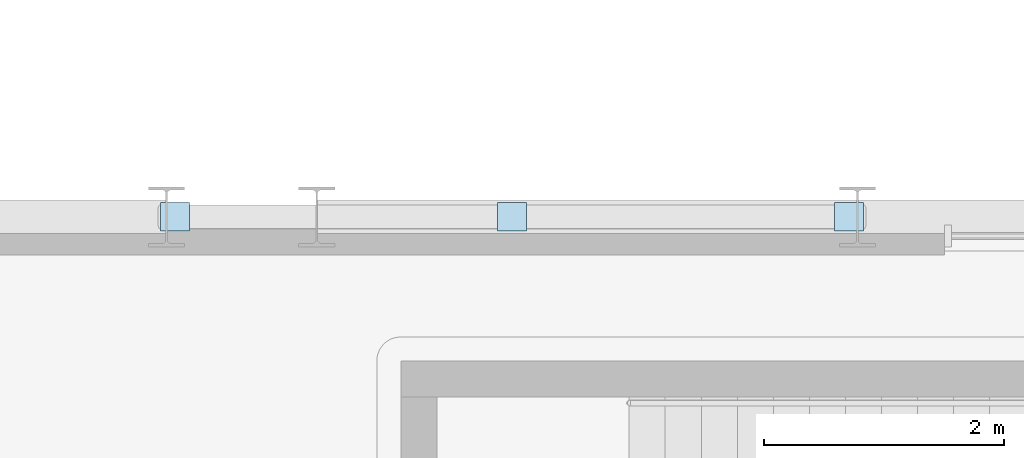
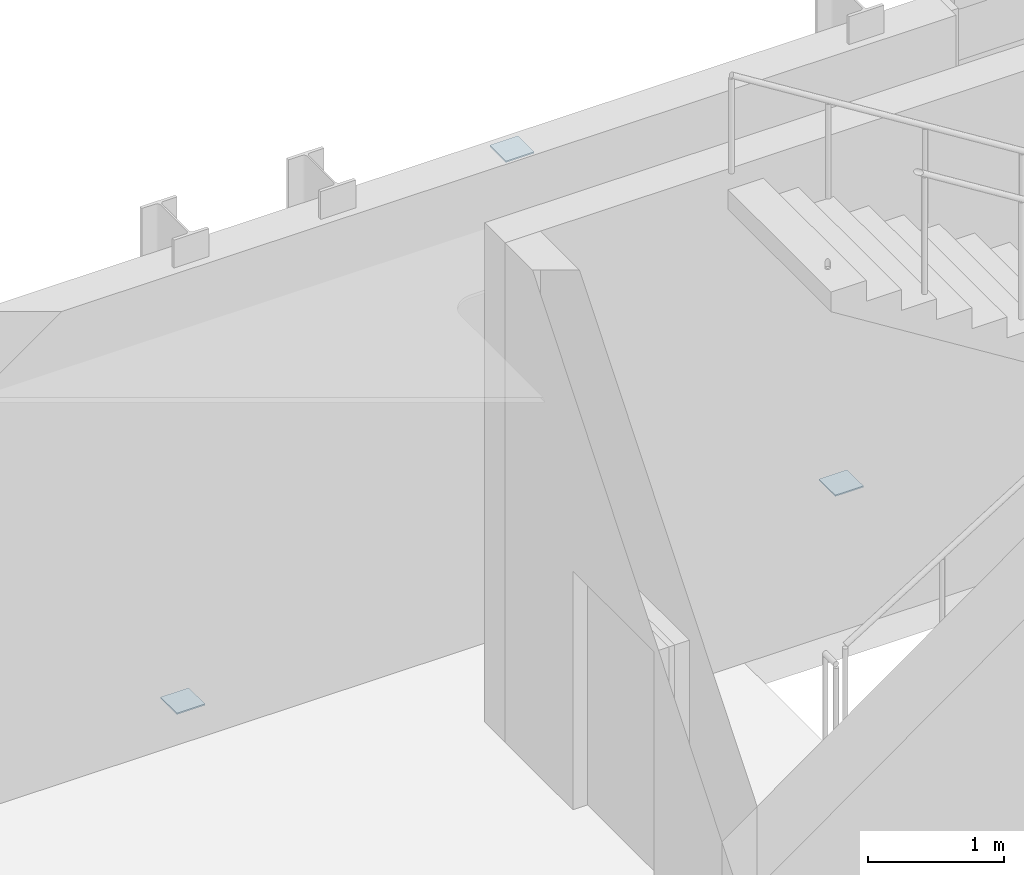
# One storey, part 64 of 100: 3 plates.
"""IFC4 building model written with IfcOpenShell, lengths in metres."""

from ifc_helpers import new_model, si_unit, direction, frame, origin, origin_2d, place, context, subcontext, project, spatial, rectangle, extrude, material, layer, layer_set, type_object, element, save


model = new_model("IFC4")

# Units and contexts
model_context = context("Model", 3, precision=1e-05, world=origin(), true_north=direction((0.0, 1.0)))
body_context = subcontext(model_context, "Body", "Model", "MODEL_VIEW")
ifc_project = project(units=[si_unit("LENGTHUNIT", "METRE"), si_unit("AREAUNIT", "SQUARE_METRE"), si_unit("VOLUMEUNIT", "CUBIC_METRE"), si_unit("PLANEANGLEUNIT", "RADIAN"), si_unit("MASSUNIT", "GRAM", prefix="KILO")], contexts=[model_context])

# Site, building, storey
site_placement = place(None, origin())
site = spatial("IfcSite", under=ifc_project, at=site_placement, CompositionType="ELEMENT")
building_placement = place(site_placement, origin())
building = spatial("IfcBuilding", under=site, at=building_placement, Name="Cymarion Research Institute", CompositionType="ELEMENT")
storey_placement = place(building_placement, frame((0.0, 0.0, 9.300048828125)))
storey = spatial("IfcBuildingStorey", under=building, at=storey_placement, Name="L02", CompositionType="ELEMENT", Elevation=9.300048828125)

# Plates
ifc_material = material(Name="Steel S355", Category="steel")
ifc_layer = layer(ifc_material, 0.011962890625)
ifc_layer_set = layer_set([ifc_layer], Name="Steel S355")
plate_type = type_object("IfcPlateType", Name="STEEL NODE GUSSET PLATE CP02 12MM", PredefinedType="USERDEFINED", material=ifc_layer_set)
for number, where, z_axis, x_axis, name in (
    (1, (88.22509765625, 41.5, 4.10400390625), (0.0, 0.0, 1.0), (1.0, 0.0, 0.0), "L02 V2 chevron apex gusset plate"),
    (2, (85.420166015625, 41.5, 0.11376953125), (0.0, 0.0, 1.0), (1.0, 0.0, 0.0), "L02 V2 chevron base gusset plate #1"),
    (3, (91.02978515625, 41.5, 0.11376953125), (0.0, 0.0, 1.0), (1.0, 0.0, 0.0), "L02 V2 chevron base gusset plate #2"),
):
    element("IfcPlate", number, at=place(storey_placement, frame(where, z_axis=z_axis, x_axis=x_axis)), inside=storey, type_object=plate_type, Name=name, ObjectType="GUSSET PLATE", PredefinedType="USERDEFINED", context=body_context, shape_type="SweptSolid", body=[
        extrude(rectangle(XDim=0.239990234375, YDim=0.239990234375, at=origin_2d()), origin(), (0.0, 0.0, 1.0), 0.011962890625),
    ])

save(model, "model.ifc")
